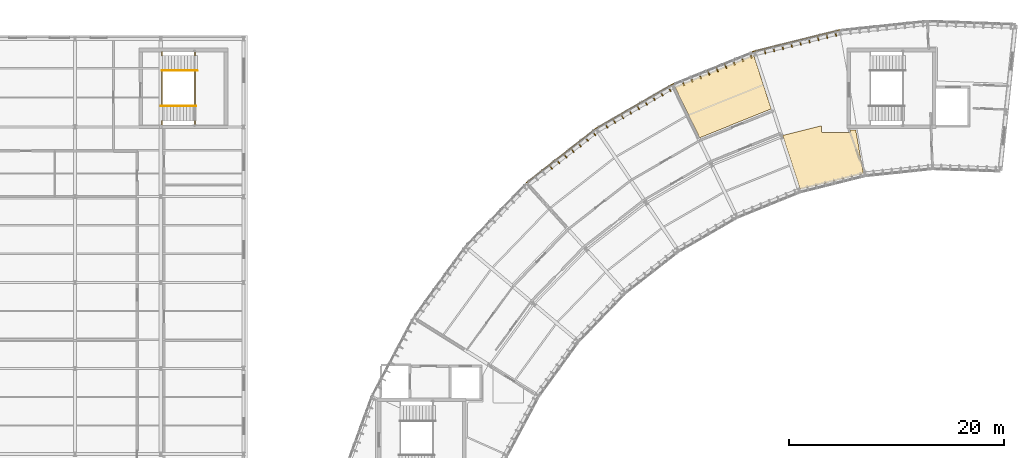
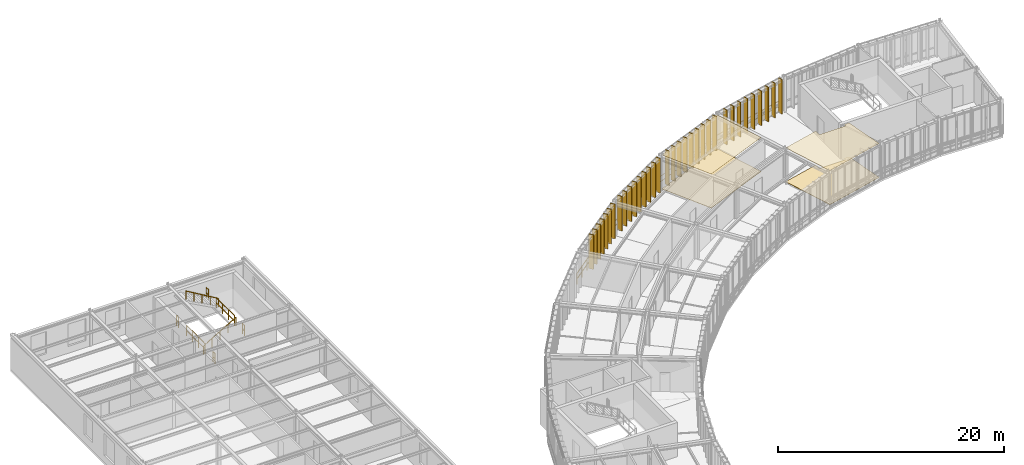
# One storey, part 40 of 41: 38 coverings, 12 railings.
"""IFC4 building model written with IfcOpenShell, lengths in metres."""

import ifcopenshell
import ifcopenshell.guid

model = None  # the IFC model being written
_history = None  # IfcOwnerHistory: only IFC2X3 demands one
_inside = {}  # id of a spatial element -> (the spatial element, [elements in it])
_under = {}  # id of a project, library or spatial element -> (it, [spatial elements below it])
_declared = {}  # id of a project -> (the project, [libraries it declares])
_typed = {}  # id of a type object -> (the type object, [elements of that type])
_made_of = {}  # id of a material, layer set ... -> (it, [elements and type objects made of it])


def new_model(schema):
    """Start an empty IFC model of exactly this schema.

    Asked for "IFC4X3", IfcOpenShell would pick the latest addendum, in which some entities
    have other attributes; the version numbers below select the first issue.
    IFC2X3 requires an IfcOwnerHistory on every rooted entity: one is made here for all.
    """
    global model, _history
    if schema == "IFC4X3":
        model = ifcopenshell.file(schema_version=(4, 3, 0, 0))
    else:
        model = ifcopenshell.file(schema=schema)
    _inside.clear()
    _under.clear()
    _declared.clear()
    _typed.clear()
    _made_of.clear()
    _history = None
    if model.schema == "IFC2X3":
        org = make("IfcOrganization", Name="unknown")
        user = make(
            "IfcPersonAndOrganization",
            ThePerson=make("IfcPerson", FamilyName="unknown"),
            TheOrganization=org,
        )
        app = make(
            "IfcApplication",
            ApplicationDeveloper=org,
            Version="unknown",
            ApplicationFullName="unknown",
            ApplicationIdentifier="unknown",
        )
        _history = make(
            "IfcOwnerHistory",
            OwningUser=user,
            OwningApplication=app,
            ChangeAction="ADDED",
            CreationDate=0,
        )
    return model


def make(cls, **values):
    """One entity of the class cls with the attributes given. An attribute that is None is left unset."""
    return model.create_entity(
        cls, **{name: value for name, value in values.items() if value is not None}
    )


def rooted(cls, **values):
    """An entity with a GlobalId (a new one), such as an element, a storey or a relation."""
    return make(cls, GlobalId=ifcopenshell.guid.new(), OwnerHistory=_history, **values)


def si_unit(unit_type, name, prefix=None):
    """IfcSIUnit, for example si_unit("LENGTHUNIT", "METRE", prefix="MILLI")."""
    return make("IfcSIUnit", UnitType=unit_type, Prefix=prefix, Name=name)


def assignment(units):
    """IfcUnitAssignment: the units of a project."""
    return None if units is None else make("IfcUnitAssignment", Units=units)


def point(xyz):
    """IfcCartesianPoint."""
    return None if xyz is None else make("IfcCartesianPoint", Coordinates=xyz)


def direction(xyz):
    """IfcDirection."""
    return None if xyz is None else make("IfcDirection", DirectionRatios=xyz)


def frame(location, z_axis=None, x_axis=None):
    """IfcAxis2Placement3D, a coordinate frame: its origin and axes. An axis left out is left unset."""
    return make(
        "IfcAxis2Placement3D",
        Location=point(location),
        Axis=direction(z_axis),
        RefDirection=direction(x_axis),
    )


def frame_2d(location, x_axis=None):
    """IfcAxis2Placement2D, a coordinate frame in the plane: its origin and x axis."""
    return make(
        "IfcAxis2Placement2D", Location=point(location), RefDirection=direction(x_axis)
    )


def origin():
    """The frame at (0, 0, 0) with its axes left unset."""
    return frame((0.0, 0.0, 0.0))


def origin_2d():
    """The frame at (0, 0) in the plane with its x axis left unset."""
    return frame_2d((0.0, 0.0))


def place(relative_to, where):
    """IfcLocalPlacement: puts the frame where relative to a parent placement (None: the world)."""
    return make(
        "IfcLocalPlacement", PlacementRelTo=relative_to, RelativePlacement=where
    )


def context(
    kind, dimensions, precision=None, world=None, true_north=None, identifier=None
):
    """IfcGeometricRepresentationContext, for example the 3D "Model" context."""
    return make(
        "IfcGeometricRepresentationContext",
        ContextIdentifier=identifier,
        ContextType=kind,
        CoordinateSpaceDimension=dimensions,
        Precision=precision,
        WorldCoordinateSystem=world,
        TrueNorth=true_north,
    )


def subcontext(parent, identifier, kind, view, scale=None):
    """IfcGeometricRepresentationSubContext, for example "Body" below "Model"."""
    return make(
        "IfcGeometricRepresentationSubContext",
        ContextIdentifier=identifier,
        ContextType=kind,
        ParentContext=parent,
        TargetScale=scale,
        TargetView=view,
    )


def project(units=None, contexts=None):
    """IfcProject with its units and contexts."""
    return rooted(
        "IfcProject",
        Name="project",
        RepresentationContexts=contexts,
        UnitsInContext=assignment(units),
    )


def spatial(cls, under=None, at=None, **own):
    """A site, building, storey or space (cls), placed at a placement, below another one or the project."""
    s = rooted(cls, ObjectPlacement=at, **own)
    if under is not None:
        _under.setdefault(under.id(), (under, []))[1].append(s)
    return s


def polyline(points):
    """IfcPolyline through the points."""
    return make("IfcPolyline", Points=[point(p) for p in points])


def profile(cls, at=None, kind="AREA", **sizes):
    """A parametric profile (cls). Its sizes go by their IFC names, for example OverallWidth=200.0."""
    return make(cls, ProfileType=kind, Position=at, **sizes)


def rectangle(**sizes):
    """IfcRectangleProfileDef."""
    return profile("IfcRectangleProfileDef", **sizes)


def circle(**sizes):
    """IfcCircleProfileDef."""
    return profile("IfcCircleProfileDef", **sizes)


def outline(outer, holes=None, kind="AREA"):
    """IfcArbitraryClosedProfileDef: a profile drawn as a closed curve; with holes, ...WithVoids."""
    if holes is None:
        return make("IfcArbitraryClosedProfileDef", ProfileType=kind, OuterCurve=outer)
    return make(
        "IfcArbitraryProfileDefWithVoids",
        ProfileType=kind,
        OuterCurve=outer,
        InnerCurves=holes,
    )


def extrude(swept, where, along, depth):
    """IfcExtrudedAreaSolid: the profile swept, set in the frame where, extruded along a direction by depth."""
    return make(
        "IfcExtrudedAreaSolid",
        SweptArea=swept,
        Position=where,
        ExtrudedDirection=direction(along),
        Depth=depth,
    )


def shape(context_of_items, identifier, shape_type, items):
    """IfcShapeRepresentation: the items that make up one representation, for example the "Body"."""
    return make(
        "IfcShapeRepresentation",
        ContextOfItems=context_of_items,
        RepresentationIdentifier=identifier,
        RepresentationType=shape_type,
        Items=items,
    )


def material(Name=None, Category=None):
    """IfcMaterial."""
    return make("IfcMaterial", Name=Name, Category=Category)


def layer(
    of_material, thickness, ventilated=None, Name=None, Category=None, Priority=None
):
    """IfcMaterialLayer: one layer of a wall or slab, of a material (None: an air gap)."""
    return make(
        "IfcMaterialLayer",
        Material=of_material,
        LayerThickness=thickness,
        IsVentilated=ventilated,
        Name=Name,
        Category=Category,
        Priority=Priority,
    )


def layer_set(layers, Name=None):
    """IfcMaterialLayerSet."""
    return make("IfcMaterialLayerSet", MaterialLayers=layers, LayerSetName=Name)


def made_of(thing, what):
    """Note that an element or type object is made of a material, layer set ...; save() writes the relation."""
    if what is not None:
        _made_of.setdefault(what.id(), (what, []))[1].append(thing)
    return thing


def type_object(cls, material=None, **own):
    """A type object (cls), such as IfcWallType, which elements share."""
    return made_of(rooted(cls, **own), material)


def element(
    cls,
    number,
    at=None,
    inside=None,
    cuts=None,
    type_object=None,
    material=None,
    context=None,
    identifier="Body",
    shape_type=None,
    held_by="IfcProductDefinitionShape",
    body=None,
    shapes=None,
    **own,
):
    """One element of the class cls, such as IfcWall. Its Tag is "e" and its number.

    at: its placement. inside: the storey or other place that contains it. cuts: it is an
    opening in that element (IfcRelVoidsElement). A single representation is given by context,
    identifier, shape_type and body (its items); several are given by shapes. held_by: the class
    of the entity that holds the representations. save() writes the other relations.
    """
    e = rooted(cls, Tag="e%d" % number, ObjectPlacement=at, **own)
    if body is not None:
        shapes = [shape(context, identifier, shape_type, body)]
    if shapes is not None:
        e.Representation = make(held_by, Representations=shapes)
    if inside is not None:
        _inside.setdefault(inside.id(), (inside, []))[1].append(e)
    if cuts is not None:
        rooted(
            "IfcRelVoidsElement", RelatingBuildingElement=cuts, RelatedOpeningElement=e
        )
    if type_object is not None:
        _typed.setdefault(type_object.id(), (type_object, []))[1].append(e)
    return made_of(e, material)


def aggregate(whole, parts):
    """IfcRelAggregates: a whole, such as a stair, and the parts it consists of."""
    return rooted("IfcRelAggregates", RelatingObject=whole, RelatedObjects=parts)


def save(model, path):
    """Write the relations noted so far, then the file.

    IfcRelAggregates (storeys below a building ...), IfcRelContainedInSpatialStructure (elements
    in a storey), IfcRelDefinesByType, IfcRelAssociatesMaterial and IfcRelDeclares: one each for
    every whole, place, type object, material and project.
    """
    for whole, parts in _under.values():
        aggregate(whole, parts)
    for where, things in _inside.values():
        rooted(
            "IfcRelContainedInSpatialStructure",
            RelatedElements=things,
            RelatingStructure=where,
        )
    for kind, things in _typed.values():
        rooted("IfcRelDefinesByType", RelatedObjects=things, RelatingType=kind)
    for what, things in _made_of.values():
        rooted("IfcRelAssociatesMaterial", RelatedObjects=things, RelatingMaterial=what)
    for by, libraries in _declared.values():
        rooted("IfcRelDeclares", RelatingContext=by, RelatedDefinitions=libraries)
    model.write(path)


model = new_model("IFC4")

# Units and contexts
model_context = context("Model", 3, precision=1e-05, world=origin(), true_north=direction((0.0, 1.0)))
body_context = subcontext(model_context, "Body", "Model", "MODEL_VIEW")
ifc_project = project(units=[si_unit("LENGTHUNIT", "METRE"), si_unit("AREAUNIT", "SQUARE_METRE"), si_unit("VOLUMEUNIT", "CUBIC_METRE"), si_unit("PLANEANGLEUNIT", "RADIAN"), si_unit("MASSUNIT", "GRAM", prefix="KILO"), si_unit("THERMODYNAMICTEMPERATUREUNIT", "KELVIN"), si_unit("POWERUNIT", "WATT")], contexts=[model_context])

# Site, building, storey
site_placement = place(None, origin())
site = spatial("IfcSite", under=ifc_project, at=site_placement, CompositionType="ELEMENT")
building_placement = place(site_placement, origin())
building = spatial("IfcBuilding", under=site, at=building_placement, Name="Solvatero Civic Police Headquarters", CompositionType="ELEMENT")
storey_placement = place(building_placement, frame((0.0, 0.0, 17.699951171875)))
storey = spatial("IfcBuildingStorey", under=building, at=storey_placement, Name="L04", CompositionType="ELEMENT", Elevation=17.699951171875)

# Coverings
ifc_material_1 = material(Name="Mineral-Fibre Acoustic Tile", Category="gypsum")
ifc_layer_1 = layer(ifc_material_1, 0.02490234375)
ifc_layer_set_1 = layer_set([ifc_layer_1], Name="Mineral-Fibre Acoustic Tile")
covering_type_1 = type_object("IfcCoveringType", Name="COV-CEIL-AC", PredefinedType="CEILING", material=ifc_layer_set_1)
covering_1_placement = place(storey_placement, frame((0.0, 0.0, 3.675048828125)))
element("IfcCovering", 1, at=covering_1_placement, inside=storey, type_object=covering_type_1, Name="Acoustic Ceiling Counter-Terrorism Liaison Suite Bay 3", PredefinedType="CEILING", context=body_context, shape_type="SweptSolid", body=[
    extrude(outline(polyline([(80.096435546875, 69.1787109375), (78.4619140625, 74.209228515625), (82.080078125, 75.111328125), (82.080078125, 74.56005859375), (82.080322265625, 74.55224609375), (82.08154296875, 74.54443359375), (82.08349609375, 74.536865234375), (82.086181640625, 74.529296875), (82.08935546875, 74.522216796875), (82.093505859375, 74.515625), (82.09814453125, 74.50927734375), (82.103515625, 74.50341796875), (82.109130859375, 74.498291015625), (82.115478515625, 74.493408203125), (82.122314453125, 74.489501953125), (82.12939453125, 74.486083984375), (82.13671875, 74.4833984375), (82.144287109375, 74.4814453125), (82.152099609375, 74.48046875), (82.159912109375, 74.47998046875), (84.68994140625, 74.47998046875), (84.69775390625, 74.48046875), (84.70556640625, 74.4814453125), (84.713134765625, 74.4833984375), (84.720703125, 74.486083984375), (84.727783203125, 74.489501953125), (84.734375, 74.493408203125), (84.74072265625, 74.498291015625), (84.74658203125, 74.50341796875), (84.751708984375, 74.50927734375), (84.756591796875, 74.515625), (84.760498046875, 74.522216796875), (84.763916015625, 74.529296875), (84.7666015625, 74.536865234375), (84.7685546875, 74.54443359375), (84.76953125, 74.55224609375), (84.77001953125, 74.56005859375), (84.77001953125, 74.72998046875), (85.265380859375, 74.72998046875), (85.9853515625, 70.647216796875), (80.096435546875, 69.1787109375)])), origin(), (0.0, 0.0, 1.0), 0.02490234375),
])
covering_2_placement = place(storey_placement, frame((0.0, 0.0, 3.675048828125)))
element("IfcCovering", 2, at=covering_2_placement, inside=storey, type_object=covering_type_1, Name="Acoustic Ceiling Regional Intelligence Fusion Desk Bay 4", PredefinedType="CEILING", context=body_context, shape_type="SweptSolid", body=[
    extrude(outline(polyline([(70.728759765625, 73.987060546875), (68.409912109375, 78.7412109375), (75.752197265625, 81.70751953125), (77.38671875, 76.677001953125), (70.728759765625, 73.987060546875)])), origin(), (0.0, 0.0, 1.0), 0.02490234375),
])
ifc_material_2 = material(Name="Anodized Bronze Aluminium", Category="aluminium")
ifc_layer_2 = layer(ifc_material_2, 0.080078125)
ifc_layer_set_2 = layer_set([ifc_layer_2], Name="Anodized Bronze Aluminium")
covering_type_2 = type_object("IfcCoveringType", Name="COV-FIN-480", PredefinedType="CLADDING", material=ifc_layer_set_2)
for number, where, z_axis, x_axis, name in (
    (3, (83.4033203125, 83.67626953125, -0.02001953125), (0.0, 0.0, 1.0), (-0.970295726276, -0.2419218956, 0.0), "Vertical Brise-Soleil Fin 0810"),
    (4, (82.57861328125, 83.470703125, -0.02001953125), (0.0, 0.0, 1.0), (-0.970295726276, -0.2419218956, 0.0), "Vertical Brise-Soleil Fin 0811"),
    (5, (81.753662109375, 83.264892578125, -0.02001953125), (0.0, 0.0, 1.0), (-0.970295726276, -0.2419218956, 0.0), "Vertical Brise-Soleil Fin 0812"),
    (6, (80.928955078125, 83.059326171875, -0.02001953125), (0.0, 0.0, 1.0), (-0.970295726276, -0.2419218956, 0.0), "Vertical Brise-Soleil Fin 0813"),
    (7, (80.104248046875, 82.853759765625, -0.02001953125), (0.0, 0.0, 1.0), (-0.970295726276, -0.2419218956, 0.0), "Vertical Brise-Soleil Fin 0814"),
    (8, (79.279541015625, 82.648193359375, -0.02001953125), (0.0, 0.0, 1.0), (-0.970295726276, -0.2419218956, 0.0), "Vertical Brise-Soleil Fin 0815"),
    (9, (78.45458984375, 82.4423828125, -0.02001953125), (0.0, 0.0, 1.0), (-0.970295726276, -0.2419218956, 0.0), "Vertical Brise-Soleil Fin 0816"),
    (10, (77.6298828125, 82.23681640625, -0.02001953125), (0.0, 0.0, 1.0), (-0.970295726276, -0.2419218956, 0.0), "Vertical Brise-Soleil Fin 0817"),
    (11, (76.80517578125, 82.03125, -0.02001953125), (0.0, 0.0, 1.0), (-0.970295726276, -0.2419218956, 0.0), "Vertical Brise-Soleil Fin 0818"),
    (12, (75.48876953125, 81.643798828125, -0.02001953125), (0.0, 0.0, 1.0), (-0.927190392544, -0.374590410948, 0.0), "Vertical Brise-Soleil Fin 0826"),
    (13, (74.70068359375, 81.325439453125, -0.02001953125), (0.0, 0.0, 1.0), (-0.927190392544, -0.374590410948, 0.0), "Vertical Brise-Soleil Fin 0827"),
    (14, (73.91259765625, 81.007080078125, -0.02001953125), (0.0, 0.0, 1.0), (-0.927190392544, -0.374590410948, 0.0), "Vertical Brise-Soleil Fin 0828"),
    (15, (73.12451171875, 80.688720703125, -0.02001953125), (0.0, 0.0, 1.0), (-0.927190392544, -0.374590410948, 0.0), "Vertical Brise-Soleil Fin 0829"),
    (16, (72.33642578125, 80.3701171875, -0.02001953125), (0.0, 0.0, 1.0), (-0.927190392544, -0.374590410948, 0.0), "Vertical Brise-Soleil Fin 0830"),
    (17, (71.54833984375, 80.0517578125, -0.02001953125), (0.0, 0.0, 1.0), (-0.927190392544, -0.374590410948, 0.0), "Vertical Brise-Soleil Fin 0831"),
    (18, (70.76025390625, 79.7333984375, -0.02001953125), (0.0, 0.0, 1.0), (-0.927190392544, -0.374590410948, 0.0), "Vertical Brise-Soleil Fin 0832"),
    (19, (69.97216796875, 79.4150390625, -0.02001953125), (0.0, 0.0, 1.0), (-0.927190392544, -0.374590410948, 0.0), "Vertical Brise-Soleil Fin 0833"),
    (20, (69.18408203125, 79.0966796875, -0.02001953125), (0.0, 0.0, 1.0), (-0.927190392544, -0.374590410948, 0.0), "Vertical Brise-Soleil Fin 0834"),
    (21, (67.916015625, 78.52099609375, -0.02001953125), (0.0, 0.0, 1.0), (-0.866025403784, -0.5, 0.0), "Vertical Brise-Soleil Fin 0842"),
    (22, (67.179931640625, 78.095947265625, -0.02001953125), (0.0, 0.0, 1.0), (-0.866025403784, -0.5, 0.0), "Vertical Brise-Soleil Fin 0843"),
    (23, (66.44384765625, 77.6708984375, -0.02001953125), (0.0, 0.0, 1.0), (-0.866025403784, -0.5, 0.0), "Vertical Brise-Soleil Fin 0844"),
    (24, (65.70751953125, 77.24609375, -0.02001953125), (0.0, 0.0, 1.0), (-0.866025403784, -0.5, 0.0), "Vertical Brise-Soleil Fin 0845"),
    (25, (64.971435546875, 76.821044921875, -0.02001953125), (0.0, 0.0, 1.0), (-0.866025403784, -0.5, 0.0), "Vertical Brise-Soleil Fin 0846"),
    (26, (64.2353515625, 76.39599609375, -0.02001953125), (0.0, 0.0, 1.0), (-0.866025403784, -0.5, 0.0), "Vertical Brise-Soleil Fin 0847"),
    (27, (63.499267578125, 75.970947265625, -0.02001953125), (0.0, 0.0, 1.0), (-0.866025403784, -0.5, 0.0), "Vertical Brise-Soleil Fin 0848"),
    (28, (62.76318359375, 75.5458984375, -0.02001953125), (0.0, 0.0, 1.0), (-0.866025403784, -0.5, 0.0), "Vertical Brise-Soleil Fin 0849"),
    (29, (62.027099609375, 75.12109375, -0.02001953125), (0.0, 0.0, 1.0), (-0.866025403784, -0.5, 0.0), "Vertical Brise-Soleil Fin 0850"),
    (30, (60.868408203125, 74.385986328125, -0.02001953125), (0.0, 0.0, 1.0), (-0.788010753607, -0.615661475326, 0.0), "Vertical Brise-Soleil Fin 0858"),
    (31, (60.198486328125, 73.86279296875, -0.02001953125), (0.0, 0.0, 1.0), (-0.788010753607, -0.615661475326, 0.0), "Vertical Brise-Soleil Fin 0859"),
    (32, (59.52880859375, 73.33935546875, -0.02001953125), (0.0, 0.0, 1.0), (-0.788010753607, -0.615661475326, 0.0), "Vertical Brise-Soleil Fin 0860"),
    (33, (58.85888671875, 72.816162109375, -0.02001953125), (0.0, 0.0, 1.0), (-0.788010753607, -0.615661475326, 0.0), "Vertical Brise-Soleil Fin 0861"),
    (34, (58.18896484375, 72.292724609375, -0.02001953125), (0.0, 0.0, 1.0), (-0.788010753607, -0.615661475326, 0.0), "Vertical Brise-Soleil Fin 0862"),
    (35, (57.519287109375, 71.769287109375, -0.02001953125), (0.0, 0.0, 1.0), (-0.788010753607, -0.615661475326, 0.0), "Vertical Brise-Soleil Fin 0863"),
    (36, (56.849365234375, 71.24609375, -0.02001953125), (0.0, 0.0, 1.0), (-0.788010753607, -0.615661475326, 0.0), "Vertical Brise-Soleil Fin 0864"),
):
    element("IfcCovering", number, at=place(storey_placement, frame(where, z_axis=z_axis, x_axis=x_axis)), inside=storey, type_object=covering_type_2, Name=name, PredefinedType="CLADDING", context=body_context, shape_type="SweptSolid", body=[
        extrude(rectangle(XDim=0.080078125, YDim=0.47998046875, at=origin_2d()), origin(), (0.0, 0.0, 1.0), 3.739990234375),
    ])
ifc_material_3 = material(Name="Venetian Terrazzo Stone", Category="masonry")
ifc_layer_3 = layer(ifc_material_3, 0.034912109375)
ifc_layer_set_3 = layer_set([ifc_layer_3], Name="Venetian Terrazzo Stone")
covering_type_3 = type_object("IfcCoveringType", Name="COV-FLR-TER", PredefinedType="FLOORING", material=ifc_layer_set_3)
covering_3_placement = place(storey_placement, origin())
element("IfcCovering", 37, at=covering_3_placement, inside=storey, type_object=covering_type_3, Name="Flooring Counter-Terrorism Liaison Suite Bay 3", PredefinedType="FLOORING", context=body_context, shape_type="SweptSolid", body=[
    extrude(outline(polyline([(80.096435546875, 69.1787109375), (78.4619140625, 74.209228515625), (82.080078125, 75.111328125), (82.080078125, 74.56005859375), (82.080322265625, 74.55224609375), (82.08154296875, 74.54443359375), (82.08349609375, 74.536865234375), (82.086181640625, 74.529296875), (82.08935546875, 74.522216796875), (82.093505859375, 74.515625), (82.09814453125, 74.50927734375), (82.103515625, 74.50341796875), (82.109130859375, 74.498291015625), (82.115478515625, 74.493408203125), (82.122314453125, 74.489501953125), (82.12939453125, 74.486083984375), (82.13671875, 74.4833984375), (82.144287109375, 74.4814453125), (82.152099609375, 74.48046875), (82.159912109375, 74.47998046875), (84.68994140625, 74.47998046875), (84.69775390625, 74.48046875), (84.70556640625, 74.4814453125), (84.713134765625, 74.4833984375), (84.720703125, 74.486083984375), (84.727783203125, 74.489501953125), (84.734375, 74.493408203125), (84.74072265625, 74.498291015625), (84.74658203125, 74.50341796875), (84.751708984375, 74.50927734375), (84.756591796875, 74.515625), (84.760498046875, 74.522216796875), (84.763916015625, 74.529296875), (84.7666015625, 74.536865234375), (84.7685546875, 74.54443359375), (84.76953125, 74.55224609375), (84.77001953125, 74.56005859375), (84.77001953125, 74.72998046875), (85.265380859375, 74.72998046875), (85.9853515625, 70.647216796875), (80.096435546875, 69.1787109375)])), origin(), (0.0, 0.0, 1.0), 0.03515625),
])
covering_4_placement = place(storey_placement, origin())
element("IfcCovering", 38, at=covering_4_placement, inside=storey, type_object=covering_type_3, Name="Flooring Regional Intelligence Fusion Desk Bay 4", PredefinedType="FLOORING", context=body_context, shape_type="SweptSolid", body=[
    extrude(outline(polyline([(70.728759765625, 73.987060546875), (68.409912109375, 78.7412109375), (75.752197265625, 81.70751953125), (77.38671875, 76.677001953125), (70.728759765625, 73.987060546875)])), origin(), (0.0, 0.0, 1.0), 0.03515625),
])

# Railings
ifc_material_4 = material(Name="Anodized Bronze and Laminated Glass", Category="glass")
railing_type_1 = type_object("IfcRailingType", Name="RL-BAL-115", PredefinedType="BALUSTRADE", material=ifc_material_4)
railing_1_placement = place(storey_placement, frame((83.76513671875, 84.044677734375, 0.0)))
element("IfcRailing", 39, at=railing_1_placement, inside=storey, type_object=railing_type_1, Name="Glazed Facade Sill Balustrade RL-L04-ARCOUT-B03", PredefinedType="BALUSTRADE", context=body_context, shape_type="SweptSolid", body=[
    extrude(circle(Radius=0.02392578125, at=origin_2d()), frame((0.0, 0.0, 1.1259765625), z_axis=(-0.970295999012, -0.241920801712, 0.0), x_axis=(0.241920801712, -0.970295999012, 0.0)), (0.0, 0.0, 1.0), 8.22265625),
    extrude(circle(Radius=0.02392578125, at=origin_2d()), frame((0.0, 0.0, 0.55078125), z_axis=(-0.970295999012, -0.241920801712, 0.0), x_axis=(0.241920801712, -0.970295999012, 0.0)), (0.0, 0.0, 1.0), 8.22265625),
    extrude(circle(Radius=0.02099609375, at=origin_2d()), origin(), (0.0, 0.0, 1.0), 1.101806640625),
    extrude(circle(Radius=0.02099609375, at=origin_2d()), frame((-1.139892578125, -0.2841796875, 0.0)), (0.0, 0.0, 1.0), 1.101806640625),
    extrude(circle(Radius=0.02099609375, at=origin_2d()), frame((-2.279541015625, -0.568359375, 0.0)), (0.0, 0.0, 1.0), 1.101806640625),
    extrude(circle(Radius=0.02099609375, at=origin_2d()), frame((-3.41943359375, -0.8525390625, 0.0)), (0.0, 0.0, 1.0), 1.101806640625),
    extrude(circle(Radius=0.02099609375, at=origin_2d()), frame((-4.55908203125, -1.13671875, 0.0)), (0.0, 0.0, 1.0), 1.101806640625),
    extrude(circle(Radius=0.02099609375, at=origin_2d()), frame((-5.698974609375, -1.4208984375, 0.0)), (0.0, 0.0, 1.0), 1.101806640625),
    extrude(circle(Radius=0.02099609375, at=origin_2d()), frame((-6.838623046875, -1.705078125, 0.0)), (0.0, 0.0, 1.0), 1.101806640625),
    extrude(circle(Radius=0.02099609375, at=origin_2d()), frame((-7.978515625, -1.9892578125, 0.0)), (0.0, 0.0, 1.0), 1.101806640625),
])
railing_2_placement = place(storey_placement, frame((75.78662109375, 82.055419921875, 0.0)))
element("IfcRailing", 40, at=railing_2_placement, inside=storey, type_object=railing_type_1, Name="Glazed Facade Sill Balustrade RL-L04-ARCOUT-B04", PredefinedType="BALUSTRADE", context=body_context, shape_type="SweptSolid", body=[
    extrude(circle(Radius=0.02392578125, at=origin_2d()), frame((0.0, 0.0, 1.1259765625), z_axis=(-0.927176996953, -0.374623566158, 0.0), x_axis=(0.374623566158, -0.927176996953, 0.0)), (0.0, 0.0, 1.0), 8.22314453125),
    extrude(circle(Radius=0.02392578125, at=origin_2d()), frame((0.0, 0.0, 0.55078125), z_axis=(-0.927176996953, -0.374623566158, 0.0), x_axis=(0.374623566158, -0.927176996953, 0.0)), (0.0, 0.0, 1.0), 8.22314453125),
    extrude(circle(Radius=0.02099609375, at=origin_2d()), origin(), (0.0, 0.0, 1.0), 1.101806640625),
    extrude(circle(Radius=0.02099609375, at=origin_2d()), frame((-1.089111328125, -0.440185546875, 0.0)), (0.0, 0.0, 1.0), 1.101806640625),
    extrude(circle(Radius=0.02099609375, at=origin_2d()), frame((-2.178466796875, -0.880126953125, 0.0)), (0.0, 0.0, 1.0), 1.101806640625),
    extrude(circle(Radius=0.02099609375, at=origin_2d()), frame((-3.267578125, -1.3203125, 0.0)), (0.0, 0.0, 1.0), 1.101806640625),
    extrude(circle(Radius=0.02099609375, at=origin_2d()), frame((-4.356689453125, -1.76025390625, 0.0)), (0.0, 0.0, 1.0), 1.101806640625),
    extrude(circle(Radius=0.02099609375, at=origin_2d()), frame((-5.44580078125, -2.200439453125, 0.0)), (0.0, 0.0, 1.0), 1.101806640625),
    extrude(circle(Radius=0.02099609375, at=origin_2d()), frame((-6.53515625, -2.640380859375, 0.0)), (0.0, 0.0, 1.0), 1.101806640625),
    extrude(circle(Radius=0.02099609375, at=origin_2d()), frame((-7.624267578125, -3.08056640625, 0.0)), (0.0, 0.0, 1.0), 1.101806640625),
])
railing_3_placement = place(storey_placement, frame((68.162353515625, 78.974853515625, 0.0)))
element("IfcRailing", 41, at=railing_3_placement, inside=storey, type_object=railing_type_1, Name="Glazed Facade Sill Balustrade RL-L04-ARCOUT-B05", PredefinedType="BALUSTRADE", context=body_context, shape_type="SweptSolid", body=[
    extrude(circle(Radius=0.02392578125, at=origin_2d()), frame((0.0, 0.0, 1.1259765625), z_axis=(-0.866027366358, -0.499996600708, 0.0), x_axis=(0.499996600708, -0.866027366358, 0.0)), (0.0, 0.0, 1.0), 8.22265625),
    extrude(circle(Radius=0.02392578125, at=origin_2d()), frame((0.0, 0.0, 0.55078125), z_axis=(-0.866027366358, -0.499996600708, 0.0), x_axis=(0.499996600708, -0.866027366358, 0.0)), (0.0, 0.0, 1.0), 8.22265625),
    extrude(circle(Radius=0.02099609375, at=origin_2d()), origin(), (0.0, 0.0, 1.0), 1.101806640625),
    extrude(circle(Radius=0.02099609375, at=origin_2d()), frame((-1.017333984375, -0.58740234375, 0.0)), (0.0, 0.0, 1.0), 1.101806640625),
    extrude(circle(Radius=0.02099609375, at=origin_2d()), frame((-2.03466796875, -1.174560546875, 0.0)), (0.0, 0.0, 1.0), 1.101806640625),
    extrude(circle(Radius=0.02099609375, at=origin_2d()), frame((-3.052001953125, -1.761962890625, 0.0)), (0.0, 0.0, 1.0), 1.101806640625),
    extrude(circle(Radius=0.02099609375, at=origin_2d()), frame((-4.069091796875, -2.349365234375, 0.0)), (0.0, 0.0, 1.0), 1.101806640625),
    extrude(circle(Radius=0.02099609375, at=origin_2d()), frame((-5.08642578125, -2.936767578125, 0.0)), (0.0, 0.0, 1.0), 1.101806640625),
    extrude(circle(Radius=0.02099609375, at=origin_2d()), frame((-6.103759765625, -3.52392578125, 0.0)), (0.0, 0.0, 1.0), 1.101806640625),
    extrude(circle(Radius=0.02099609375, at=origin_2d()), frame((-7.12109375, -4.111328125, 0.0)), (0.0, 0.0, 1.0), 1.101806640625),
])
railing_4_placement = place(storey_placement, frame((61.041259765625, 74.863525390625, 0.0)))
element("IfcRailing", 42, at=railing_4_placement, inside=storey, type_object=railing_type_1, Name="Glazed Facade Sill Balustrade RL-L04-ARCOUT-B06", PredefinedType="BALUSTRADE", context=body_context, shape_type="SweptSolid", body=[
    extrude(circle(Radius=0.02392578125, at=origin_2d()), frame((0.0, 0.0, 1.1259765625), z_axis=(-0.788023473491, -0.61564519427, 0.0), x_axis=(0.61564519427, -0.788023473491, 0.0)), (0.0, 0.0, 1.0), 8.22314453125),
    extrude(circle(Radius=0.02392578125, at=origin_2d()), frame((0.0, 0.0, 0.55078125), z_axis=(-0.788023473491, -0.61564519427, 0.0), x_axis=(0.61564519427, -0.788023473491, 0.0)), (0.0, 0.0, 1.0), 8.22314453125),
    extrude(circle(Radius=0.02099609375, at=origin_2d()), origin(), (0.0, 0.0, 1.0), 1.101806640625),
    extrude(circle(Radius=0.02099609375, at=origin_2d()), frame((-0.92578125, -0.72314453125, 0.0)), (0.0, 0.0, 1.0), 1.101806640625),
    extrude(circle(Radius=0.02099609375, at=origin_2d()), frame((-1.851318359375, -1.446533203125, 0.0)), (0.0, 0.0, 1.0), 1.101806640625),
    extrude(circle(Radius=0.02099609375, at=origin_2d()), frame((-2.777099609375, -2.169677734375, 0.0)), (0.0, 0.0, 1.0), 1.101806640625),
    extrude(circle(Radius=0.02099609375, at=origin_2d()), frame((-3.702880859375, -2.892822265625, 0.0)), (0.0, 0.0, 1.0), 1.101806640625),
    extrude(circle(Radius=0.02099609375, at=origin_2d()), frame((-4.628662109375, -3.615966796875, 0.0)), (0.0, 0.0, 1.0), 1.101806640625),
    extrude(circle(Radius=0.02099609375, at=origin_2d()), frame((-5.55419921875, -4.33935546875, 0.0)), (0.0, 0.0, 1.0), 1.101806640625),
    extrude(circle(Radius=0.02099609375, at=origin_2d()), frame((-6.47998046875, -5.0625, 0.0)), (0.0, 0.0, 1.0), 1.101806640625),
])
ifc_material_5 = material(Name="Painted Galvanized Steel", Category="steel")
railing_type_2 = type_object("IfcRailingType", Name="RL-GRD-110", PredefinedType="GUARDRAIL", material=ifc_material_5)
railing_5_placement = place(storey_placement, frame((20.6298828125, 76.97998046875, 0.0)))
element("IfcRailing", 43, at=railing_5_placement, inside=storey, type_object=railing_type_2, Name="ST-C4 L04 Floor Well Guardrail", PredefinedType="GUARDRAIL", context=body_context, shape_type="SweptSolid", body=[
    extrude(circle(Radius=0.02392578125, at=origin_2d()), frame((0.0, 0.0, 1.09619140625), z_axis=(0.0, 1.0, 0.0), x_axis=(-1.0, 0.0, 0.0)), (0.0, 0.0, 1.0), 3.239990234375),
    extrude(circle(Radius=0.02392578125, at=origin_2d()), frame((0.0, 0.0, 0.5361328125), z_axis=(0.0, 1.0, 0.0), x_axis=(-1.0, 0.0, 0.0)), (0.0, 0.0, 1.0), 3.239990234375),
    extrude(circle(Radius=0.02099609375, at=origin_2d()), origin(), (0.0, 0.0, 1.0), 1.072021484375),
    extrude(circle(Radius=0.02099609375, at=origin_2d()), frame((0.0, 1.080078125, 0.0)), (0.0, 0.0, 1.0), 1.072021484375),
    extrude(circle(Radius=0.02099609375, at=origin_2d()), frame((0.0, 2.159912109375, 0.0)), (0.0, 0.0, 1.0), 1.072021484375),
    extrude(circle(Radius=0.02099609375, at=origin_2d()), frame((0.0, 3.239990234375, 0.0)), (0.0, 0.0, 1.0), 1.072021484375),
])
for number, where, name in (
    (44, (20.6298828125, 75.2099609375, 0.0), "ST-C4 L04 Floor Well South Slot Guardrail"),
    (45, (20.6298828125, 81.6298828125, 0.0), "ST-C4 L04 Floor Well North Slot Guardrail"),
):
    element("IfcRailing", number, at=place(storey_placement, frame(where)), inside=storey, type_object=railing_type_2, Name=name, PredefinedType="GUARDRAIL", context=body_context, shape_type="SweptSolid", body=[
        extrude(circle(Radius=0.02392578125, at=origin_2d()), frame((0.0, 0.0, 1.09619140625), z_axis=(0.0, 1.0, 0.0), x_axis=(-1.0, 0.0, 0.0)), (0.0, 0.0, 1.0), 0.360107421875),
        extrude(circle(Radius=0.02392578125, at=origin_2d()), frame((0.0, 0.0, 0.5361328125), z_axis=(0.0, 1.0, 0.0), x_axis=(-1.0, 0.0, 0.0)), (0.0, 0.0, 1.0), 0.360107421875),
        extrude(circle(Radius=0.02099609375, at=origin_2d()), origin(), (0.0, 0.0, 1.0), 1.072021484375),
        extrude(circle(Radius=0.02099609375, at=origin_2d()), frame((0.0, 0.360107421875, 0.0)), (0.0, 0.0, 1.0), 1.072021484375),
    ])
railing_6_placement = place(storey_placement, frame((23.669921875, 76.97998046875, 1.949951171875)))
element("IfcRailing", 46, at=railing_6_placement, inside=storey, type_object=railing_type_2, Name="ST-C4 L04 Half-Landing Well Guardrail", PredefinedType="GUARDRAIL", context=body_context, shape_type="SweptSolid", body=[
    extrude(circle(Radius=0.02392578125, at=origin_2d()), frame((0.0, 0.0, 1.09619140625), z_axis=(0.0, 1.0, 0.0), x_axis=(-1.0, 0.0, 0.0)), (0.0, 0.0, 1.0), 3.239990234375),
    extrude(circle(Radius=0.02392578125, at=origin_2d()), frame((0.0, 0.0, 0.5361328125), z_axis=(0.0, 1.0, 0.0), x_axis=(-1.0, 0.0, 0.0)), (0.0, 0.0, 1.0), 3.239990234375),
    extrude(circle(Radius=0.02099609375, at=origin_2d()), origin(), (0.0, 0.0, 1.0), 1.072021484375),
    extrude(circle(Radius=0.02099609375, at=origin_2d()), frame((0.0, 1.080078125, 0.0)), (0.0, 0.0, 1.0), 1.072021484375),
    extrude(circle(Radius=0.02099609375, at=origin_2d()), frame((0.0, 2.159912109375, 0.0)), (0.0, 0.0, 1.0), 1.072021484375),
    extrude(circle(Radius=0.02099609375, at=origin_2d()), frame((0.0, 3.239990234375, 0.0)), (0.0, 0.0, 1.0), 1.072021484375),
])
for number, where, name in (
    (47, (23.669921875, 75.2099609375, 1.949951171875), "ST-C4 L04 Half-Landing South Slot Guardrail"),
    (48, (23.669921875, 81.6298828125, 1.949951171875), "ST-C4 L04 Half-Landing North Slot Guardrail"),
):
    element("IfcRailing", number, at=place(storey_placement, frame(where)), inside=storey, type_object=railing_type_2, Name=name, PredefinedType="GUARDRAIL", context=body_context, shape_type="SweptSolid", body=[
        extrude(circle(Radius=0.02392578125, at=origin_2d()), frame((0.0, 0.0, 1.09619140625), z_axis=(0.0, 1.0, 0.0), x_axis=(-1.0, 0.0, 0.0)), (0.0, 0.0, 1.0), 0.360107421875),
        extrude(circle(Radius=0.02392578125, at=origin_2d()), frame((0.0, 0.0, 0.5361328125), z_axis=(0.0, 1.0, 0.0), x_axis=(-1.0, 0.0, 0.0)), (0.0, 0.0, 1.0), 0.360107421875),
        extrude(circle(Radius=0.02099609375, at=origin_2d()), origin(), (0.0, 0.0, 1.0), 1.072021484375),
        extrude(circle(Radius=0.02099609375, at=origin_2d()), frame((0.0, 0.360107421875, 0.0)), (0.0, 0.0, 1.0), 1.072021484375),
    ])
ifc_material_6 = material(Name="Brushed Stainless Steel", Category="steel")
railing_type_3 = type_object("IfcRailingType", Name="RL-HND-092", PredefinedType="HANDRAIL", material=ifc_material_6)
railing_7_placement = place(storey_placement, frame((20.5, 76.949951171875, 0.0)))
element("IfcRailing", 49, at=railing_7_placement, inside=storey, type_object=railing_type_3, Name="ST-C4 L04 Flight 1 Handrail", PredefinedType="HANDRAIL", context=body_context, shape_type="SweptSolid", body=[
    extrude(circle(Radius=0.02392578125, at=origin_2d()), frame((0.0, 0.0, 0.89599609375), z_axis=(0.860935404107, 0.0, 0.508714291086), x_axis=(0.0, 1.0, 0.0)), (0.0, 0.0, 1.0), 3.8330078125),
    extrude(circle(Radius=0.02099609375, at=origin_2d()), origin(), (0.0, 0.0, 1.0), 0.871826171875),
    extrude(circle(Radius=0.02099609375, at=origin_2d()), frame((0.824951171875, 0.0, 0.487548828125)), (0.0, 0.0, 1.0), 0.871826171875),
    extrude(circle(Radius=0.02099609375, at=origin_2d()), frame((1.64990234375, 0.0, 0.97509765625)), (0.0, 0.0, 1.0), 0.871826171875),
    extrude(circle(Radius=0.02099609375, at=origin_2d()), frame((2.47509765625, 0.0, 1.46240234375)), (0.0, 0.0, 1.0), 0.871826171875),
    extrude(circle(Radius=0.02099609375, at=origin_2d()), frame((3.300048828125, 0.0, 1.949951171875)), (0.0, 0.0, 1.0), 0.871826171875),
])
railing_8_placement = place(storey_placement, frame((23.89990234375, 80.25, 1.949951171875)))
element("IfcRailing", 50, at=railing_8_placement, inside=storey, type_object=railing_type_3, Name="ST-C4 L04 Flight 2 Handrail", PredefinedType="HANDRAIL", context=body_context, shape_type="SweptSolid", body=[
    extrude(circle(Radius=0.02392578125, at=origin_2d()), frame((0.0, 0.0, 0.89599609375), z_axis=(-0.860891021225, 0.0, 0.50878939609), x_axis=(0.0, -1.0, 0.0)), (0.0, 0.0, 1.0), 3.8330078125),
    extrude(circle(Radius=0.02099609375, at=origin_2d()), origin(), (0.0, 0.0, 1.0), 0.871826171875),
    extrude(circle(Radius=0.02099609375, at=origin_2d()), frame((-0.824951171875, 0.0, 0.487548828125)), (0.0, 0.0, 1.0), 0.871826171875),
    extrude(circle(Radius=0.02099609375, at=origin_2d()), frame((-1.64990234375, 0.0, 0.97509765625)), (0.0, 0.0, 1.0), 0.871826171875),
    extrude(circle(Radius=0.02099609375, at=origin_2d()), frame((-2.474853515625, 0.0, 1.462646484375)), (0.0, 0.0, 1.0), 0.871826171875),
    extrude(circle(Radius=0.02099609375, at=origin_2d()), frame((-3.2998046875, 0.0, 1.9501953125)), (0.0, 0.0, 1.0), 0.871826171875),
])

save(model, "model.ifc")
